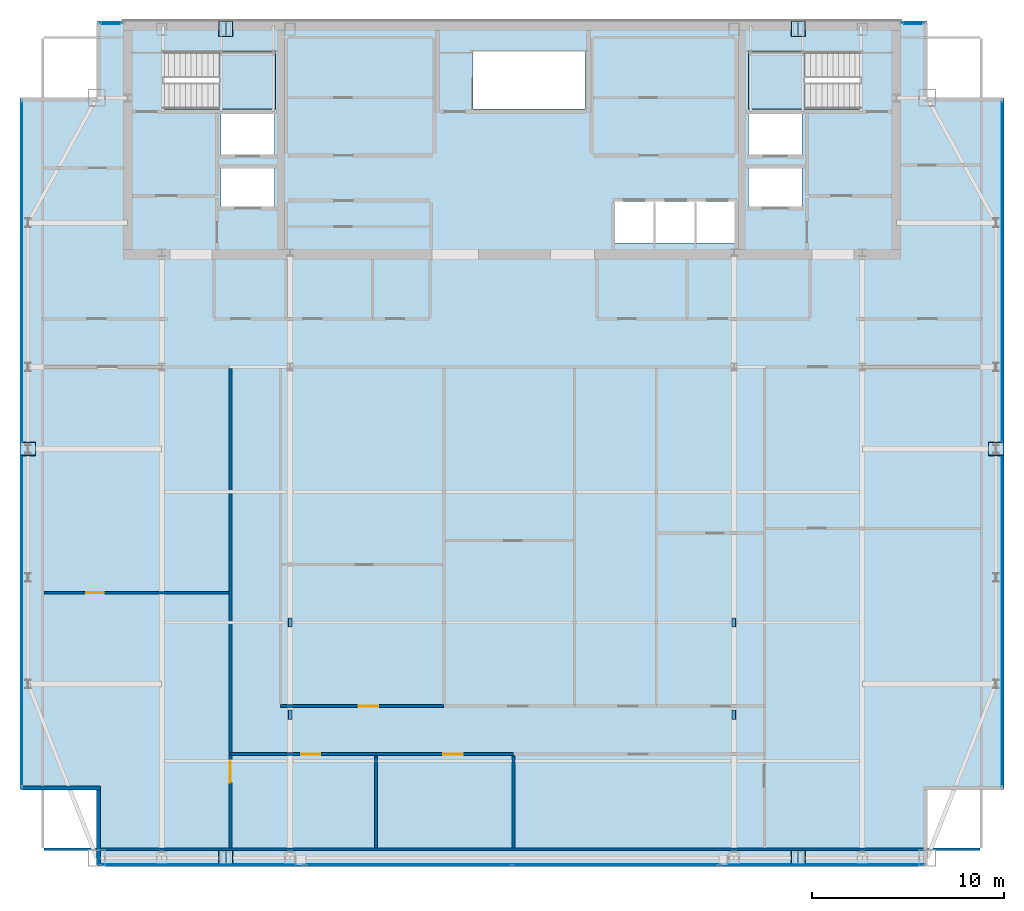
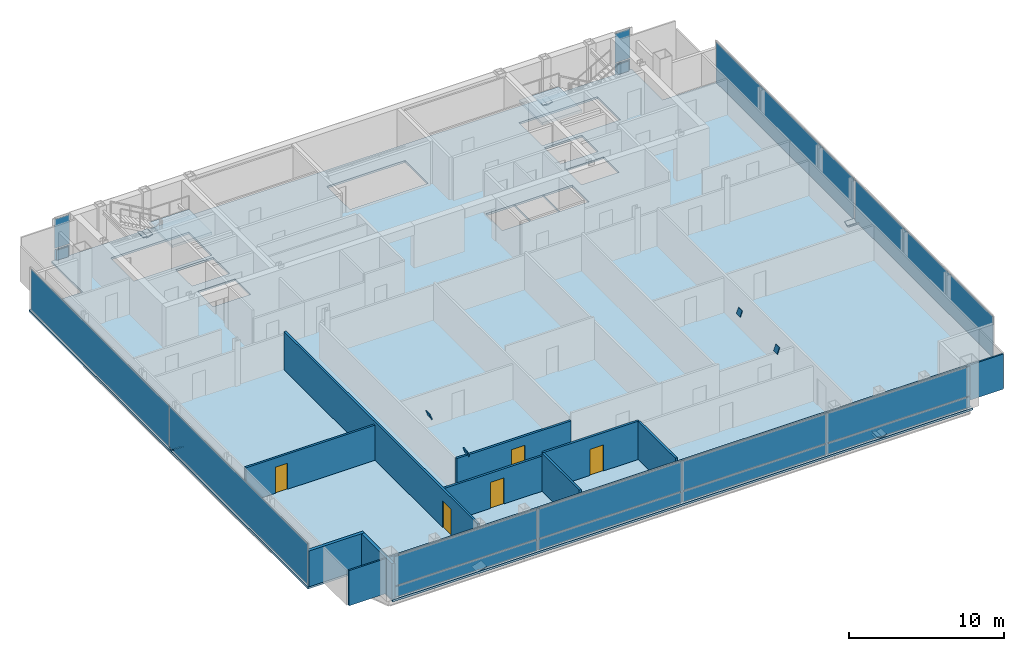
# One storey, part 18 of 24: 34 plates, 10 walls, 5 doors, 3 slabs, 5 openings, 7 elements without a shape of their own.
"""IFC4 building model written with IfcOpenShell, lengths in metres."""

from ifc_helpers import new_model, si_unit, direction, frame, frame_2d, origin, origin_2d, place, context, subcontext, project, spatial, polyline, rectangle, outline, extrude, material, layer, layer_set, type_object, element, fill, aggregate, save


model = new_model("IFC4")

# Units and contexts
model_context = context("Model", 3, precision=1e-05, world=origin(), true_north=direction((0.0, 1.0)))
body_context = subcontext(model_context, "Body", "Model", "MODEL_VIEW")
ifc_project = project(units=[si_unit("LENGTHUNIT", "METRE"), si_unit("AREAUNIT", "SQUARE_METRE"), si_unit("VOLUMEUNIT", "CUBIC_METRE"), si_unit("PLANEANGLEUNIT", "RADIAN"), si_unit("MASSUNIT", "GRAM", prefix="KILO")], contexts=[model_context])

# Site, building, storey
site_placement = place(None, origin())
site = spatial("IfcSite", under=ifc_project, at=site_placement, CompositionType="ELEMENT")
building_placement = place(site_placement, origin())
building = spatial("IfcBuilding", under=site, at=building_placement, Name="Khoronbel Lancet Exchange", CompositionType="ELEMENT")
storey_placement = place(building_placement, frame((0.0, 0.0, 347.0)))
storey = spatial("IfcBuildingStorey", under=building, at=storey_placement, Name="L90", CompositionType="ELEMENT", Elevation=347.0)

# Curtain wall, plates
ifc_material_1 = material(Name="Low-E Solar Control Insulating Glass", Category="glass")
curtain_wall_type_1 = type_object("IfcCurtainWallType", Name="CW-4", PredefinedType="NOTDEFINED", material=ifc_material_1)
curtain_wall_1_placement = place(storey_placement, origin())
curtain_wall_1 = element("IfcCurtainWall", 1, at=curtain_wall_1_placement, inside=storey, type_object=curtain_wall_type_1, Name="Unitised curtain wall CW-L90-E03", PredefinedType="NOTDEFINED")
ifc_material_2 = material(Name="Bronze-Anodised Aluminium 6063-T6", Category="aluminium")
ifc_layer_1 = layer(ifc_material_2, 0.050048828125, Name="Bronze-Anodised Aluminium 6063-T6")
ifc_layer_set_1 = layer_set([ifc_layer_1], Name="Bronze-Anodised Aluminium 6063-T6")
plate_type_1 = type_object("IfcPlateType", Name="PLT-CSP1", PredefinedType="SHEET", material=ifc_layer_set_1)
plate_1_placement = place(storey_placement, frame((10.93994140625, 22.763671875, 0.0849609375), z_axis=(0.0, 0.0, 1.0), x_axis=(0.0, 1.0, 0.0)))
plate_1 = element("IfcPlate", 2, at=plate_1_placement, type_object=plate_type_1, Name="CW4 panel 1.1", PredefinedType="CURTAIN_PANEL", context=body_context, shape_type="SweptSolid", body=[
    extrude(rectangle(XDim=17.797607421875, YDim=0.0380859375, at=origin_2d()), origin(), (0.0, 0.0, 1.0), 3.2099609375),
])
plate_2_placement = place(storey_placement, frame((10.93994140625, 40.63623046875, 0.0849609375), z_axis=(0.0, 0.0, 1.0), x_axis=(0.0, 1.0, 0.0)))
plate_2 = element("IfcPlate", 3, at=plate_2_placement, type_object=plate_type_1, Name="CW4 panel 2.1", PredefinedType="CURTAIN_PANEL", context=body_context, shape_type="SweptSolid", body=[
    extrude(rectangle(XDim=17.797607421875, YDim=0.0380859375, at=origin_2d()), origin(), (0.0, 0.0, 1.0), 3.2099609375),
])
aggregate(curtain_wall_1, [plate_1, plate_2])

# Curtain wall, plate
curtain_wall_type_2 = type_object("IfcCurtainWallType", Name="CW-3", PredefinedType="NOTDEFINED", material=ifc_material_1)
curtain_wall_2_placement = place(storey_placement, origin())
curtain_wall_2 = element("IfcCurtainWall", 4, at=curtain_wall_2_placement, inside=storey, type_object=curtain_wall_type_2, Name="Unitised curtain wall CW-L90-NWFLK", PredefinedType="NOTDEFINED")
plate_3_placement = place(storey_placement, frame((15.580078125, 53.550048828125, 0.0498046875), z_axis=(0.0, 0.0, 1.0), x_axis=(-1.0, 0.0, 0.0)))
plate_3 = element("IfcPlate", 5, at=plate_3_placement, type_object=plate_type_1, Name="Insulated bronze spandrel cassette CW-L90-NWFLK", PredefinedType="SHEET", context=body_context, shape_type="SweptSolid", body=[
    extrude(rectangle(XDim=0.89599609375, YDim=0.050048828125, at=origin_2d()), origin(), (0.0, 0.0, 1.0), 0.800048828125),
])

curtain_wall_3_placement = place(storey_placement, origin())
curtain_wall_3 = element("IfcCurtainWall", 6, at=curtain_wall_3_placement, inside=storey, type_object=curtain_wall_type_2, Name="Unitised curtain wall CW-L90-NEFLK", PredefinedType="NOTDEFINED")
plate_4_placement = place(storey_placement, frame((57.320068359375, 53.550048828125, 0.0498046875), z_axis=(0.0, 0.0, 1.0), x_axis=(-1.0, 0.0, 0.0)))
plate_4 = element("IfcPlate", 7, at=plate_4_placement, type_object=plate_type_1, Name="Insulated bronze spandrel cassette CW-L90-NEFLK", PredefinedType="SHEET", context=body_context, shape_type="SweptSolid", body=[
    extrude(rectangle(XDim=0.89599609375, YDim=0.050048828125, at=origin_2d()), origin(), (0.0, 0.0, 1.0), 0.800048828125),
])

# Curtain wall, plates
curtain_wall_4_placement = place(storey_placement, origin())
curtain_wall_4 = element("IfcCurtainWall", 8, at=curtain_wall_4_placement, inside=storey, type_object=curtain_wall_type_1, Name="Unitised curtain wall CW-L90-E09", PredefinedType="NOTDEFINED")
plate_5_placement = place(storey_placement, frame((61.9599609375, 40.63623046875, 0.0849609375), z_axis=(0.0, 0.0, 1.0), x_axis=(0.0, -1.0, 0.0)))
plate_5 = element("IfcPlate", 9, at=plate_5_placement, type_object=plate_type_1, Name="CW4 panel 1.1", PredefinedType="CURTAIN_PANEL", context=body_context, shape_type="SweptSolid", body=[
    extrude(rectangle(XDim=17.797607421875, YDim=0.0380859375, at=origin_2d()), origin(), (0.0, 0.0, 1.0), 3.2099609375),
])
plate_6_placement = place(storey_placement, frame((61.9599609375, 22.763671875, 0.0849609375), z_axis=(0.0, 0.0, 1.0), x_axis=(0.0, -1.0, 0.0)))
plate_6 = element("IfcPlate", 10, at=plate_6_placement, type_object=plate_type_1, Name="CW4 panel 2.1", PredefinedType="CURTAIN_PANEL", context=body_context, shape_type="SweptSolid", body=[
    extrude(rectangle(XDim=17.797607421875, YDim=0.0380859375, at=origin_2d()), origin(), (0.0, 0.0, 1.0), 3.2099609375),
])
aggregate(curtain_wall_4, [plate_5, plate_6])

# Plate
ifc_layer_2 = layer(ifc_material_1, 0.035888671875, Name="Low-E Solar Control Insulating Glass")
ifc_layer_set_2 = layer_set([ifc_layer_2], Name="Low-E Solar Control Insulating Glass")
plate_type_2 = type_object("IfcPlateType", Name="PLT-CWP1", PredefinedType="CURTAIN_PANEL", material=ifc_layer_set_2)
plate_7_placement = place(storey_placement, frame((15.580078125, 53.610107421875, 0.0849609375), z_axis=(0.0, 0.0, 1.0), x_axis=(-1.0, 0.0, 0.0)))
plate_7 = element("IfcPlate", 11, at=plate_7_placement, type_object=plate_type_2, Name="CW3 panel 1.1", PredefinedType="CURTAIN_PANEL", context=body_context, shape_type="SweptSolid", body=[
    extrude(rectangle(XDim=1.110107421875, YDim=0.0380859375, at=origin_2d()), origin(), (0.0, 0.0, 1.0), 0.822509765625),
])

plate_8_placement = place(storey_placement, frame((15.580078125, 53.610107421875, 0.99267578125), z_axis=(0.0, 0.0, 1.0), x_axis=(-1.0, 0.0, 0.0)))
plate_8 = element("IfcPlate", 12, at=plate_8_placement, type_object=plate_type_2, Name="CW3 panel 1.2", PredefinedType="CURTAIN_PANEL", context=body_context, shape_type="SweptSolid", body=[
    extrude(rectangle(XDim=1.110107421875, YDim=0.0380859375, at=origin_2d()), origin(), (0.0, 0.0, 1.0), 2.302490234375),
])

aggregate(curtain_wall_2, [plate_7, plate_8, plate_3])

plate_9_placement = place(storey_placement, frame((57.320068359375, 53.610107421875, 0.0849609375), z_axis=(0.0, 0.0, 1.0), x_axis=(-1.0, 0.0, 0.0)))
plate_9 = element("IfcPlate", 13, at=plate_9_placement, type_object=plate_type_2, Name="CW3 panel 1.1", PredefinedType="CURTAIN_PANEL", context=body_context, shape_type="SweptSolid", body=[
    extrude(rectangle(XDim=1.110107421875, YDim=0.0380859375, at=origin_2d()), origin(), (0.0, 0.0, 1.0), 0.822509765625),
])

plate_10_placement = place(storey_placement, frame((57.320068359375, 53.610107421875, 0.99267578125), z_axis=(0.0, 0.0, 1.0), x_axis=(-1.0, 0.0, 0.0)))
plate_10 = element("IfcPlate", 14, at=plate_10_placement, type_object=plate_type_2, Name="CW3 panel 1.2", PredefinedType="CURTAIN_PANEL", context=body_context, shape_type="SweptSolid", body=[
    extrude(rectangle(XDim=1.110107421875, YDim=0.0380859375, at=origin_2d()), origin(), (0.0, 0.0, 1.0), 2.302490234375),
])

aggregate(curtain_wall_3, [plate_9, plate_10, plate_4])

# Curtain wall, plates
curtain_wall_5_placement = place(storey_placement, origin())
curtain_wall_5 = element("IfcCurtainWall", 15, at=curtain_wall_5_placement, inside=storey, type_object=curtain_wall_type_2, Name="Unitised curtain wall CW-L90-E12", PredefinedType="NOTDEFINED")
plate_11_placement = place(storey_placement, frame((52.561279296875, 9.7900390625, 0.0849609375), z_axis=(0.0, 0.0, 1.0), x_axis=(-1.0, 0.0, 0.0)))
plate_11 = element("IfcPlate", 16, at=plate_11_placement, type_object=plate_type_2, Name="CW3 panel 1.1", PredefinedType="CURTAIN_PANEL", context=body_context, shape_type="SweptSolid", body=[
    extrude(rectangle(XDim=10.62744140625, YDim=0.0380859375, at=origin_2d()), origin(), (0.0, 0.0, 1.0), 0.822509765625),
])
plate_12_placement = place(storey_placement, frame((52.561279296875, 9.7900390625, 0.99267578125), z_axis=(0.0, 0.0, 1.0), x_axis=(-1.0, 0.0, 0.0)))
plate_12 = element("IfcPlate", 17, at=plate_12_placement, type_object=plate_type_2, Name="CW3 panel 1.2", PredefinedType="CURTAIN_PANEL", context=body_context, shape_type="SweptSolid", body=[
    extrude(rectangle(XDim=10.62744140625, YDim=0.0380859375, at=origin_2d()), origin(), (0.0, 0.0, 1.0), 2.302490234375),
])
plate_13_placement = place(storey_placement, frame((41.827392578125, 9.7900390625, 0.0849609375), z_axis=(0.0, 0.0, 1.0), x_axis=(-1.0, 0.0, 0.0)))
plate_13 = element("IfcPlate", 18, at=plate_13_placement, type_object=plate_type_2, Name="CW3 panel 2.1", PredefinedType="CURTAIN_PANEL", context=body_context, shape_type="SweptSolid", body=[
    extrude(rectangle(XDim=10.669921875, YDim=0.0380859375, at=origin_2d()), origin(), (0.0, 0.0, 1.0), 0.822509765625),
])
plate_14_placement = place(storey_placement, frame((41.827392578125, 9.7900390625, 0.99267578125), z_axis=(0.0, 0.0, 1.0), x_axis=(-1.0, 0.0, 0.0)))
plate_14 = element("IfcPlate", 19, at=plate_14_placement, type_object=plate_type_2, Name="CW3 panel 2.2", PredefinedType="CURTAIN_PANEL", context=body_context, shape_type="SweptSolid", body=[
    extrude(rectangle(XDim=10.669921875, YDim=0.0380859375, at=origin_2d()), origin(), (0.0, 0.0, 1.0), 2.302490234375),
])
plate_15_placement = place(storey_placement, frame((31.072509765625, 9.7900390625, 0.0849609375), z_axis=(0.0, 0.0, 1.0), x_axis=(-1.0, 0.0, 0.0)))
plate_15 = element("IfcPlate", 20, at=plate_15_placement, type_object=plate_type_2, Name="CW3 panel 3.1", PredefinedType="CURTAIN_PANEL", context=body_context, shape_type="SweptSolid", body=[
    extrude(rectangle(XDim=10.669921875, YDim=0.0380859375, at=origin_2d()), origin(), (0.0, 0.0, 1.0), 0.822509765625),
])
plate_16_placement = place(storey_placement, frame((31.072509765625, 9.7900390625, 0.99267578125), z_axis=(0.0, 0.0, 1.0), x_axis=(-1.0, 0.0, 0.0)))
plate_16 = element("IfcPlate", 21, at=plate_16_placement, type_object=plate_type_2, Name="CW3 panel 3.2", PredefinedType="CURTAIN_PANEL", context=body_context, shape_type="SweptSolid", body=[
    extrude(rectangle(XDim=10.669921875, YDim=0.0380859375, at=origin_2d()), origin(), (0.0, 0.0, 1.0), 2.302490234375),
])
plate_17_placement = place(storey_placement, frame((20.3388671875, 9.7900390625, 0.0849609375), z_axis=(0.0, 0.0, 1.0), x_axis=(-1.0, 0.0, 0.0)))
plate_17 = element("IfcPlate", 22, at=plate_17_placement, type_object=plate_type_2, Name="CW3 panel 4.1", PredefinedType="CURTAIN_PANEL", context=body_context, shape_type="SweptSolid", body=[
    extrude(rectangle(XDim=10.62744140625, YDim=0.0380859375, at=origin_2d()), origin(), (0.0, 0.0, 1.0), 0.822509765625),
])
plate_18_placement = place(storey_placement, frame((20.3388671875, 9.7900390625, 0.99267578125), z_axis=(0.0, 0.0, 1.0), x_axis=(-1.0, 0.0, 0.0)))
plate_18 = element("IfcPlate", 23, at=plate_18_placement, type_object=plate_type_2, Name="CW3 panel 4.2", PredefinedType="CURTAIN_PANEL", context=body_context, shape_type="SweptSolid", body=[
    extrude(rectangle(XDim=10.62744140625, YDim=0.0380859375, at=origin_2d()), origin(), (0.0, 0.0, 1.0), 2.302490234375),
])
aggregate(curtain_wall_5, [plate_11, plate_12, plate_13, plate_14, plate_15, plate_16, plate_17, plate_18])

# Plates
ifc_material_3 = material(Name="Steel S460", Category="steel")
ifc_layer_3 = layer(ifc_material_3, 0.044921875, Name="Steel S460")
ifc_layer_set_3 = layer_set([ifc_layer_3], Name="Steel S460")
plate_type_3 = type_object("IfcPlateType", Name="PLT-ECP1", PredefinedType="USERDEFINED", material=ifc_layer_set_3)
for number, where, z_axis, x_axis, name in (
    (24, (21.935302734375, 9.77001953125, -0.08056640625), (0.295236958021, 0.0, 0.955424062193), (0.0, 1.0, 0.0), "Hollow end cap plate PLT-CAP-MEM-MB-T30-S-W-L-1"),
    (25, (21.189697265625, 10.530029296875, -0.08056640625), (-0.295236958021, 0.0, 0.955424062193), (0.0, -1.0, 0.0), "Hollow end cap plate PLT-CAP-MEM-MB-T30-S-W-R-1"),
    (26, (51.710205078125, 9.77001953125, -0.08056640625), (0.295236958021, 0.0, 0.955424062193), (0.0, 1.0, 0.0), "Hollow end cap plate PLT-CAP-MEM-MB-T30-S-E-L-1"),
):
    element("IfcPlate", number, at=place(storey_placement, frame(where, z_axis=z_axis, x_axis=x_axis)), inside=storey, type_object=plate_type_3, Name=name, ObjectType="STIFFENER_PLATE", PredefinedType="USERDEFINED", context=body_context, shape_type="SweptSolid", body=[
        extrude(outline(polyline([(0.0, 0.0), (0.760009765625, 0.0), (0.760009765625, 0.760009765625), (0.0, 0.760009765625), (0.0, 0.0)])), origin(), (0.0, 0.0, -1.0), 0.044921875),
    ])
plate_19_placement = place(storey_placement, frame((50.964599609375, 10.530029296875, -0.08056640625), z_axis=(-0.295146364908, 0.0, 0.955452051796), x_axis=(0.0, -1.0, 0.0)))
element("IfcPlate", 27, at=plate_19_placement, inside=storey, type_object=plate_type_3, Name="Hollow end cap plate PLT-CAP-MEM-MB-T30-S-E-R-1", ObjectType="STIFFENER_PLATE", PredefinedType="USERDEFINED", context=body_context, shape_type="SweptSolid", body=[
    extrude(outline(polyline([(0.0, 0.0), (0.760009765625, 0.0), (0.760009765625, 0.76025390625), (0.0, 0.76025390625), (0.0, 0.0)])), origin(), (0.0, 0.0, -1.0), 0.044921875),
])
for number, where, z_axis, x_axis, name in (
    (28, (21.935302734375, 52.89990234375, -0.08056640625), (0.295236958021, 0.0, 0.955424062193), (0.0, 1.0, 0.0), "Hollow end cap plate PLT-CAP-MEM-MB-T30-N-W-L-1"),
    (29, (21.189697265625, 53.659912109375, -0.08056640625), (-0.295236958021, 0.0, 0.955424062193), (0.0, -1.0, 0.0), "Hollow end cap plate PLT-CAP-MEM-MB-T30-N-W-R-1"),
    (30, (51.710205078125, 52.89990234375, -0.08056640625), (0.295236958021, 0.0, 0.955424062193), (0.0, 1.0, 0.0), "Hollow end cap plate PLT-CAP-MEM-MB-T30-N-E-L-1"),
):
    element("IfcPlate", number, at=place(storey_placement, frame(where, z_axis=z_axis, x_axis=x_axis)), inside=storey, type_object=plate_type_3, Name=name, ObjectType="STIFFENER_PLATE", PredefinedType="USERDEFINED", context=body_context, shape_type="SweptSolid", body=[
        extrude(outline(polyline([(0.0, 0.0), (0.760009765625, 0.0), (0.760009765625, 0.760009765625), (0.0, 0.760009765625), (0.0, 0.0)])), origin(), (0.0, 0.0, -1.0), 0.044921875),
    ])
plate_20_placement = place(storey_placement, frame((50.964599609375, 53.659912109375, -0.08056640625), z_axis=(-0.295146364908, 0.0, 0.955452051796), x_axis=(0.0, -1.0, 0.0)))
element("IfcPlate", 31, at=plate_20_placement, inside=storey, type_object=plate_type_3, Name="Hollow end cap plate PLT-CAP-MEM-MB-T30-N-E-R-1", ObjectType="STIFFENER_PLATE", PredefinedType="USERDEFINED", context=body_context, shape_type="SweptSolid", body=[
    extrude(outline(polyline([(0.0, 0.0), (0.760009765625, 0.0), (0.760009765625, 0.76025390625), (0.0, 0.76025390625), (0.0, 0.0)])), origin(), (0.0, 0.0, -1.0), 0.044921875),
])
for number, where, z_axis, x_axis, name in (
    (32, (11.64990234375, 31.765625, -0.171630859375), (0.0, 0.525602314326, 0.850730396292), (-1.0, 0.0, 0.0), "Hollow end cap plate PLT-CAP-MEM-MB-T30-W-P-L-1"),
    (33, (10.889892578125, 31.0595703125, -0.109130859375), (0.0, -0.368175750156, 0.929756213745), (1.0, 0.0, 0.0), "Hollow end cap plate PLT-CAP-MEM-MB-T30-W-P-R-1"),
    (34, (62.010009765625, 31.765625, -0.171630859375), (0.0, 0.525602314326, 0.850730396292), (-1.0, 0.0, 0.0), "Hollow end cap plate PLT-CAP-MEM-MB-T30-E-P-L-1"),
    (35, (61.25, 31.0595703125, -0.109130859375), (0.0, -0.368175750156, 0.929756213745), (1.0, 0.0, 0.0), "Hollow end cap plate PLT-CAP-MEM-MB-T30-E-P-R-1"),
):
    element("IfcPlate", number, at=place(storey_placement, frame(where, z_axis=z_axis, x_axis=x_axis)), inside=storey, type_object=plate_type_3, Name=name, ObjectType="STIFFENER_PLATE", PredefinedType="USERDEFINED", context=body_context, shape_type="SweptSolid", body=[
        extrude(outline(polyline([(0.0, 0.0), (0.760009765625, 0.0), (0.760009765625, 0.760009765625), (0.0, 0.760009765625), (0.0, 0.0)])), origin(), (0.0, 0.0, -1.0), 0.044921875),
    ])
for number, where, z_axis, x_axis, name in (
    (36, (24.992431640625, 17.360107421875, 3.128173828125), (0.94121126294, 0.0, 0.337818528969), (0.0, 1.0, 0.0), "Hollow end cap plate PLT-CAP-MEM-L91-TMD-DMP1-0"),
    (37, (47.90771484375, 17.840087890625, 3.128173828125), (-0.94121126294, 0.0, 0.337818528969), (0.0, -1.0, 0.0), "Hollow end cap plate PLT-CAP-MEM-L91-TMD-DMP2-0"),
    (38, (47.90771484375, 22.639892578125, 3.128173828125), (-0.94121126294, 0.0, 0.337818528969), (0.0, -1.0, 0.0), "Hollow end cap plate PLT-CAP-MEM-L91-TMD-DMP3-0"),
    (39, (24.992431640625, 22.159912109375, 3.128173828125), (0.94121126294, 0.0, 0.337818528969), (0.0, 1.0, 0.0), "Hollow end cap plate PLT-CAP-MEM-L91-TMD-DMP4-0"),
):
    element("IfcPlate", number, at=place(storey_placement, frame(where, z_axis=z_axis, x_axis=x_axis)), inside=storey, type_object=plate_type_3, Name=name, ObjectType="STIFFENER_PLATE", PredefinedType="USERDEFINED", context=body_context, shape_type="SweptSolid", body=[
        extrude(outline(polyline([(0.0, 0.0), (0.47998046875, 0.0), (0.47998046875, 0.47998046875), (0.0, 0.47998046875), (0.0, 0.0)])), origin(), (0.0, 0.0, -1.0), 0.044921875),
    ])

# Slab
ifc_material_4 = material(Name="Concrete C40/50", Category="concrete")
ifc_layer_4 = layer(ifc_material_4, 0.159912109375, Name="Concrete C40/50")
ifc_layer_set_4 = layer_set([ifc_layer_4], Name="Concrete C40/50")
slab_type_1 = type_object("IfcSlabType", Name="SL-FL160", PredefinedType="FLOOR", material=ifc_layer_set_4)
slab_1_placement = place(storey_placement, frame((0.0, 0.0, -0.159912109375)))
element("IfcSlab", 40, at=slab_1_placement, inside=storey, type_object=slab_type_1, Name="Level L90 composite structural floor slab", PredefinedType="FLOOR", context=body_context, shape_type="SweptSolid", body=[
    extrude(outline(polyline([(14.85009765625, 9.699951171875), (58.050048828125, 9.699951171875), (58.050048828125, 13.699951171875), (62.050048828125, 13.699951171875), (62.050048828125, 17.699951171875), (62.050048828125, 45.699951171875), (62.050048828125, 49.699951171875), (58.050048828125, 49.699951171875), (58.050048828125, 53.699951171875), (14.85009765625, 53.699951171875), (14.85009765625, 49.699951171875), (10.85009765625, 49.699951171875), (10.85009765625, 45.699951171875), (10.85009765625, 17.699951171875), (10.85009765625, 13.699951171875), (14.85009765625, 13.699951171875), (14.85009765625, 9.699951171875)]), holes=[polyline([(18.324951171875, 49.1201171875), (24.14990234375, 49.1201171875), (24.14990234375, 52.10009765625), (18.324951171875, 52.10009765625), (18.324951171875, 49.1201171875)]), polyline([(48.75, 49.1201171875), (54.574951171875, 49.1201171875), (54.574951171875, 52.10009765625), (48.75, 52.10009765625), (48.75, 49.1201171875)]), polyline([(34.425048828125, 49.1201171875), (40.25, 49.1201171875), (40.25, 52.10009765625), (34.425048828125, 52.10009765625), (34.425048828125, 49.1201171875)]), polyline([(41.739990234375, 42.14990234375), (43.8798828125, 42.14990234375), (43.8798828125, 44.300048828125), (41.739990234375, 44.300048828125), (41.739990234375, 42.14990234375)]), polyline([(43.89990234375, 42.14990234375), (46.0400390625, 42.14990234375), (46.0400390625, 44.300048828125), (43.89990234375, 44.300048828125), (43.89990234375, 42.14990234375)]), polyline([(46.06005859375, 42.14990234375), (48.199951171875, 42.14990234375), (48.199951171875, 44.300048828125), (46.06005859375, 44.300048828125), (46.06005859375, 42.14990234375)]), polyline([(21.300048828125, 46.75), (24.10009765625, 46.75), (24.10009765625, 48.85009765625), (21.300048828125, 48.85009765625), (21.300048828125, 46.75)]), polyline([(48.75, 46.75), (51.550048828125, 46.75), (51.550048828125, 48.85009765625), (48.75, 48.85009765625), (48.75, 46.75)]), polyline([(21.300048828125, 44.050048828125), (24.10009765625, 44.050048828125), (24.10009765625, 46.050048828125), (21.300048828125, 46.050048828125), (21.300048828125, 44.050048828125)]), polyline([(48.75, 44.050048828125), (51.550048828125, 44.050048828125), (51.550048828125, 46.050048828125), (48.75, 46.050048828125), (48.75, 44.050048828125)])]), origin(), (0.0, 0.0, 1.0), 0.159912109375),
])

# Stair, slab
stair_type = type_object("IfcStairType", Name="STR-CORE150", PredefinedType="HALF_TURN_STAIR", material=ifc_material_4)
stair_1_placement = place(storey_placement, origin())
stair_1 = element("IfcStair", 41, at=stair_1_placement, inside=storey, type_object=stair_type, Name="L90 Protected Exit Stair ST1", PredefinedType="HALF_TURN_STAIR")
ifc_layer_5 = layer(ifc_material_4, 0.199951171875, Name="Concrete C40/50")
ifc_layer_set_5 = layer_set([ifc_layer_5], Name="Concrete C40/50")
slab_type_2 = type_object("IfcSlabType", Name="SL-LND180", PredefinedType="LANDING", material=ifc_layer_set_5)
slab_2_placement = place(storey_placement, frame((0.0, 0.0, 1.60009765625)))
slab_2 = element("IfcSlab", 42, at=slab_2_placement, type_object=slab_type_2, Name="ST1 landing 1", PredefinedType="LANDING", context=body_context, shape_type="SweptSolid", body=[
    extrude(outline(polyline([(21.199951171875, 49.1201171875), (24.14990234375, 49.1201171875), (24.14990234375, 52.10009765625), (21.199951171875, 52.10009765625), (21.199951171875, 49.1201171875)])), origin(), (0.0, 0.0, 1.0), 0.199951171875),
])
aggregate(stair_1, [slab_2])

stair_2_placement = place(storey_placement, origin())
stair_2 = element("IfcStair", 43, at=stair_2_placement, inside=storey, type_object=stair_type, Name="L90 Protected Exit Stair ST2", PredefinedType="HALF_TURN_STAIR")
slab_3_placement = place(storey_placement, frame((0.0, 0.0, 1.60009765625)))
slab_3 = element("IfcSlab", 44, at=slab_3_placement, type_object=slab_type_2, Name="ST2 landing 1", PredefinedType="LANDING", context=body_context, shape_type="SweptSolid", body=[
    extrude(outline(polyline([(51.699951171875, 52.10009765625), (48.75, 52.10009765625), (48.75, 49.1201171875), (51.699951171875, 49.1201171875), (51.699951171875, 52.10009765625)])), origin(), (0.0, 0.0, 1.0), 0.199951171875),
])
aggregate(stair_2, [slab_3])

# Walls
ifc_material_5 = material(Name="Precast concrete C40/50", Category="concrete")
ifc_layer_6 = layer(ifc_material_5, 0.25, Name="Precast concrete C40/50")
ifc_layer_set_6 = layer_set([ifc_layer_6], Name="Precast concrete C40/50")
wall_type_1 = type_object("IfcWallType", Name="WL-EXT250", PredefinedType="SOLIDWALL", material=ifc_layer_set_6)
wall_1_placement = place(storey_placement, frame((14.93994140625, 9.77001953125, 0.0), z_axis=(0.0, 0.0, 1.0), x_axis=(0.0, 1.0, 0.0)))
element("IfcWall", 45, at=wall_1_placement, inside=storey, type_object=wall_type_1, Name="Level L90 notched-corner limestone pier 01", PredefinedType="SOLIDWALL", context=body_context, shape_type="SweptSolid", body=[
    extrude(rectangle(XDim=3.909912109375, YDim=0.219970703125, at=frame_2d((1.955078125, 0.0))), origin(), (0.0, 0.0, 1.0), 2.820068359375),
])
wall_2_placement = place(storey_placement, frame((15.050048828125, 13.7900390625, 0.0), z_axis=(0.0, 0.0, 1.0), x_axis=(-1.0, 0.0, 0.0)))
element("IfcWall", 46, at=wall_2_placement, inside=storey, type_object=wall_type_1, Name="Level L90 notched-corner limestone pier 02", PredefinedType="SOLIDWALL", context=body_context, shape_type="SweptSolid", body=[
    extrude(rectangle(XDim=4.130126953125, YDim=0.219970703125, at=frame_2d((2.06494140625, 0.0))), origin(), (0.0, 0.0, 1.0), 2.820068359375),
])

# Wall, opening, door
ifc_material_6 = material(Name="Acoustic Metal-Stud & Mineral-Wool Gypsum Partition 120 mm", Category="gypsum")
ifc_layer_7 = layer(ifc_material_6, 0.1201171875, Name="Acoustic Metal-Stud & Mineral-Wool Gypsum Partition 120 mm")
ifc_layer_set_7 = layer_set([ifc_layer_7], Name="Acoustic Metal-Stud & Mineral-Wool Gypsum Partition 120 mm")
wall_type_2 = type_object("IfcWallType", Name="WL-PRT120", PredefinedType="PARTITIONING", material=ifc_layer_set_7)
wall_3_placement = place(storey_placement, frame((12.094970703125, 23.949951171875, 0.0), z_axis=(0.0, 0.0, 1.0), x_axis=(1.0, 0.0, 0.0)))
wall_3 = element("IfcWall", 47, at=wall_3_placement, inside=storey, type_object=wall_type_2, Name="Level L90 interior partition PW-Z4-WH", PredefinedType="PARTITIONING", context=body_context, shape_type="SweptSolid", body=[
    extrude(rectangle(XDim=9.625, YDim=0.14990234375, at=frame_2d((4.8125, 0.0))), origin(), (0.0, 0.0, 1.0), 2.77001953125),
])
opening_1_placement = place(wall_3_placement, frame((2.199951171875, 0.0, 0.0)))
opening_1 = element("IfcOpeningElement", 48, at=opening_1_placement, cuts=wall_3, Name="Opening D5", PredefinedType="OPENING", context=body_context, shape_type="SweptSolid", body=[
    extrude(rectangle(XDim=0.89990234375, YDim=2.050048828125, at=frame_2d((0.449951171875, 1.02490234375))), frame((0.0, 0.0849609375, 0.0), z_axis=(0.0, -1.0, 0.0), x_axis=(1.0, 0.0, 0.0)), (0.0, 0.0, 1.0), 0.169921875),
])
ifc_material_7 = material(Name="Acoustic Timber Pantry & Support Door", Category="wood")
door_type_1 = type_object("IfcDoorType", Name="DR-D5", OperationType="NOTDEFINED", PredefinedType="DOOR", material=ifc_material_7)
door_1_placement = place(opening_1_placement, origin())
door_1 = element("IfcDoor", 49, at=door_1_placement, inside=storey, type_object=door_type_1, Name="West lens inner door L90-1", OperationType="SINGLE_SWING_LEFT", OverallHeight=2.050048828125, OverallWidth=0.89990234375, PredefinedType="DOOR", context=body_context, shape_type="SweptSolid", body=[
    extrude(rectangle(XDim=0.89990234375, YDim=2.050048828125, at=frame_2d((0.449951171875, 1.02490234375))), frame((0.0, 0.02490234375, 0.0), z_axis=(0.0, -1.0, 0.0), x_axis=(1.0, 0.0, 0.0)), (0.0, 0.0, 1.0), 0.050048828125),
])
fill(opening_1, door_1)

# Wall
wall_4_placement = place(storey_placement, frame((12.094970703125, 10.60009765625, 0.0), z_axis=(0.0, 0.0, 1.0), x_axis=(1.0, 0.0, 0.0)))
element("IfcWall", 50, at=wall_4_placement, inside=storey, type_object=wall_type_2, Name="Level L90 interior partition PW-LIN-S", PredefinedType="PARTITIONING", context=body_context, shape_type="SweptSolid", body=[
    extrude(rectangle(XDim=48.7099609375, YDim=0.1201171875, at=frame_2d((24.35498046875, 0.0))), origin(), (0.0, 0.0, 1.0), 2.77001953125),
])

# Wall, opening, door
ifc_material_8 = material(Name="Fire-Rated Twin-Stud Acoustic Gypsum Partition 150 mm", Category="gypsum")
ifc_layer_8 = layer(ifc_material_8, 0.14990234375, Name="Fire-Rated Twin-Stud Acoustic Gypsum Partition 150 mm")
ifc_layer_set_8 = layer_set([ifc_layer_8], Name="Fire-Rated Twin-Stud Acoustic Gypsum Partition 150 mm")
wall_type_3 = type_object("IfcWallType", Name="WL-PRT150C", PredefinedType="PARTITIONING", material=ifc_layer_set_8)
wall_5_placement = place(storey_placement, frame((21.800048828125, 10.6650390625, 0.0), z_axis=(0.0, 0.0, 1.0), x_axis=(0.0, 1.0, 0.0)))
wall_5 = element("IfcWall", 51, at=wall_5_placement, inside=storey, type_object=wall_type_3, Name="Level L90 interior partition PW-Z4-WW", PredefinedType="PARTITIONING", context=body_context, shape_type="SweptSolid", body=[
    extrude(rectangle(XDim=24.955078125, YDim=0.14990234375, at=frame_2d((12.4775390625, 0.0))), origin(), (0.0, 0.0, 1.0), 3.010009765625),
])
opening_2_placement = place(wall_5_placement, frame((3.39990234375, 0.0, 0.0)))
opening_2 = element("IfcOpeningElement", 52, at=opening_2_placement, cuts=wall_5, Name="Opening D6", PredefinedType="OPENING", context=body_context, shape_type="SweptSolid", body=[
    extrude(rectangle(XDim=1.10009765625, YDim=2.10009765625, at=frame_2d((0.550048828125, 1.050048828125))), frame((0.0, 0.0849609375, 0.0), z_axis=(0.0, -1.0, 0.0), x_axis=(1.0, 0.0, 0.0)), (0.0, 0.0, 1.0), 0.169921875),
])
ifc_material_9 = material(Name="Acoustic Bronze-Veneer Executive Suite Door", Category="wood")
door_type_2 = type_object("IfcDoorType", Name="DR-D6", OperationType="NOTDEFINED", PredefinedType="DOOR", material=ifc_material_9)
door_2_placement = place(opening_2_placement, origin())
door_2 = element("IfcDoor", 53, at=door_2_placement, inside=storey, type_object=door_type_2, Name="West lens presidential door L90-1", OperationType="SINGLE_SWING_LEFT", OverallHeight=2.10009765625, OverallWidth=1.10009765625, PredefinedType="DOOR", context=body_context, shape_type="SweptSolid", body=[
    extrude(rectangle(XDim=1.10009765625, YDim=2.10009765625, at=frame_2d((0.550048828125, 1.050048828125))), frame((0.0, 0.02490234375, 0.0), z_axis=(0.0, -1.0, 0.0), x_axis=(1.0, 0.0, 0.0)), (0.0, 0.0, 1.0), 0.050048828125),
])
fill(opening_2, door_2)

# Walls
for number, where, z_axis, x_axis, name in (
    (54, (29.37646484375, 10.6650390625, 0.0), (0.0, 0.0, 1.0), (0.0, 1.0, 0.0), "Level L90 interior partition PW-Z4S-V1"),
    (55, (36.53173828125, 10.6650390625, 0.0), (0.0, 0.0, 1.0), (0.0, 1.0, 0.0), "Level L90 interior partition PW-Z4S-V2"),
):
    element("IfcWall", number, at=place(storey_placement, frame(where, z_axis=z_axis, x_axis=x_axis)), inside=storey, type_object=wall_type_3, Name=name, PredefinedType="PARTITIONING", context=body_context, shape_type="SweptSolid", body=[
        extrude(rectangle(XDim=4.800048828125, YDim=0.14990234375, at=frame_2d((2.39990234375, 0.0))), origin(), (0.0, 0.0, 1.0), 3.010009765625),
    ])

# Wall, opening, door
ifc_material_10 = material(Name="Fire-Rated Twin-Stud Acoustic Gypsum Partition 160 mm", Category="gypsum")
ifc_layer_9 = layer(ifc_material_10, 0.159912109375, Name="Fire-Rated Twin-Stud Acoustic Gypsum Partition 160 mm")
ifc_layer_set_9 = layer_set([ifc_layer_9], Name="Fire-Rated Twin-Stud Acoustic Gypsum Partition 160 mm")
wall_type_4 = type_object("IfcWallType", Name="WL-PRT160C", PredefinedType="PARTITIONING", material=ifc_layer_set_9)
wall_6_placement = place(storey_placement, frame((24.39990234375, 18.050048828125, 0.0), z_axis=(0.0, 0.0, 1.0), x_axis=(1.0, 0.0, 0.0)))
wall_6 = element("IfcWall", 56, at=wall_6_placement, inside=storey, type_object=wall_type_4, Name="Level L90 interior partition PW-Z4C-COR1", PredefinedType="PARTITIONING", context=body_context, shape_type="SweptSolid", body=[
    extrude(rectangle(XDim=8.52001953125, YDim=0.159912109375, at=frame_2d((4.260009765625, 0.0))), origin(), (0.0, 0.0, 1.0), 2.77001953125),
])
opening_3_placement = place(wall_6_placement, frame((4.078369140625, 0.0, 0.0)))
opening_3 = element("IfcOpeningElement", 57, at=opening_3_placement, cuts=wall_6, Name="Opening D2", PredefinedType="OPENING", context=body_context, shape_type="SweptSolid", body=[
    extrude(rectangle(XDim=1.0, YDim=2.050048828125, at=frame_2d((0.5, 1.02490234375))), frame((0.0, 0.08984375, 0.0), z_axis=(0.0, -1.0, 0.0), x_axis=(1.0, 0.0, 0.0)), (0.0, 0.0, 1.0), 0.179931640625),
])
ifc_material_11 = material(Name="Acoustic Veneered Timber & Bronze Frame Door", Category="wood")
door_type_3 = type_object("IfcDoorType", Name="DR-D2", OperationType="NOTDEFINED", PredefinedType="DOOR", material=ifc_material_11)
door_3_placement = place(opening_3_placement, origin())
door_3 = element("IfcDoor", 58, at=door_3_placement, inside=storey, type_object=door_type_3, Name="Z4C bay 1 door L90-1", OperationType="SINGLE_SWING_LEFT", OverallHeight=2.050048828125, OverallWidth=1.0, PredefinedType="DOOR", context=body_context, shape_type="SweptSolid", body=[
    extrude(rectangle(XDim=1.0, YDim=2.050048828125, at=frame_2d((0.5, 1.02490234375))), frame((0.0, 0.02490234375, 0.0), z_axis=(0.0, -1.0, 0.0), x_axis=(1.0, 0.0, 0.0)), (0.0, 0.0, 1.0), 0.050048828125),
])
fill(opening_3, door_3)

wall_7_placement = place(storey_placement, frame((21.800048828125, 15.550048828125, 0.0), z_axis=(0.0, 0.0, 1.0), x_axis=(1.0, 0.0, 0.0)))
wall_7 = element("IfcWall", 59, at=wall_7_placement, inside=storey, type_object=wall_type_4, Name="Level L90 interior partition PW-Z4S-COR1", PredefinedType="PARTITIONING", context=body_context, shape_type="SweptSolid", body=[
    extrude(rectangle(XDim=7.576416015625, YDim=0.159912109375, at=frame_2d((3.7880859375, 0.0))), origin(), (0.0, 0.0, 1.0), 2.77001953125),
])
opening_4_placement = place(wall_7_placement, frame((3.68212890625, 0.0, 0.0)))
opening_4 = element("IfcOpeningElement", 60, at=opening_4_placement, cuts=wall_7, Name="Opening D2", PredefinedType="OPENING", context=body_context, shape_type="SweptSolid", body=[
    extrude(rectangle(XDim=1.0, YDim=2.050048828125, at=frame_2d((0.5, 1.02490234375))), frame((0.0, 0.08984375, 0.0), z_axis=(0.0, -1.0, 0.0), x_axis=(1.0, 0.0, 0.0)), (0.0, 0.0, 1.0), 0.179931640625),
])
door_4_placement = place(opening_4_placement, origin())
door_4 = element("IfcDoor", 61, at=door_4_placement, inside=storey, type_object=door_type_3, Name="Z4S bay 1 door L90-1", OperationType="SINGLE_SWING_RIGHT", OverallHeight=2.050048828125, OverallWidth=1.0, PredefinedType="DOOR", context=body_context, shape_type="SweptSolid", body=[
    extrude(rectangle(XDim=1.0, YDim=2.050048828125, at=frame_2d((0.5, 1.02490234375))), frame((0.0, 0.02490234375, 0.0), z_axis=(0.0, -1.0, 0.0), x_axis=(1.0, 0.0, 0.0)), (0.0, 0.0, 1.0), 0.050048828125),
])
fill(opening_4, door_4)

wall_8_placement = place(storey_placement, frame((29.37646484375, 15.550048828125, 0.0), z_axis=(0.0, 0.0, 1.0), x_axis=(1.0, 0.0, 0.0)))
wall_8 = element("IfcWall", 62, at=wall_8_placement, inside=storey, type_object=wall_type_4, Name="Level L90 interior partition PW-Z4S-COR2", PredefinedType="PARTITIONING", context=body_context, shape_type="SweptSolid", body=[
    extrude(rectangle(XDim=7.1552734375, YDim=0.159912109375, at=frame_2d((3.57763671875, 0.0))), origin(), (0.0, 0.0, 1.0), 3.010009765625),
])
opening_5_placement = place(wall_8_placement, frame((3.50537109375, 0.0, 0.0)))
opening_5 = element("IfcOpeningElement", 63, at=opening_5_placement, cuts=wall_8, Name="Opening D2", PredefinedType="OPENING", context=body_context, shape_type="SweptSolid", body=[
    extrude(rectangle(XDim=1.0, YDim=2.050048828125, at=frame_2d((0.5, 1.02490234375))), frame((0.0, 0.08984375, 0.0), z_axis=(0.0, -1.0, 0.0), x_axis=(1.0, 0.0, 0.0)), (0.0, 0.0, 1.0), 0.179931640625),
])
door_5_placement = place(opening_5_placement, origin())
door_5 = element("IfcDoor", 64, at=door_5_placement, inside=storey, type_object=door_type_3, Name="Z4S bay 2 door L90-1", OperationType="SINGLE_SWING_LEFT", OverallHeight=2.050048828125, OverallWidth=1.0, PredefinedType="DOOR", context=body_context, shape_type="SweptSolid", body=[
    extrude(rectangle(XDim=1.0, YDim=2.050048828125, at=frame_2d((0.5, 1.02490234375))), frame((0.0, 0.02490234375, 0.0), z_axis=(0.0, -1.0, 0.0), x_axis=(1.0, 0.0, 0.0)), (0.0, 0.0, 1.0), 0.050048828125),
])
fill(opening_5, door_5)

save(model, "model.ifc")
